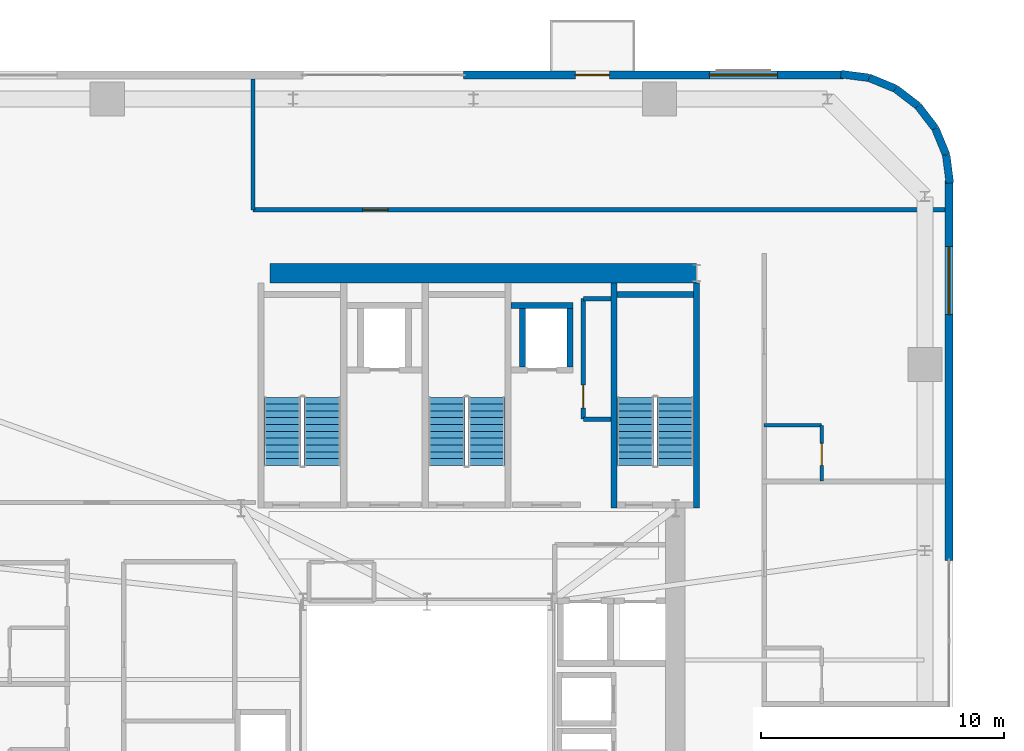
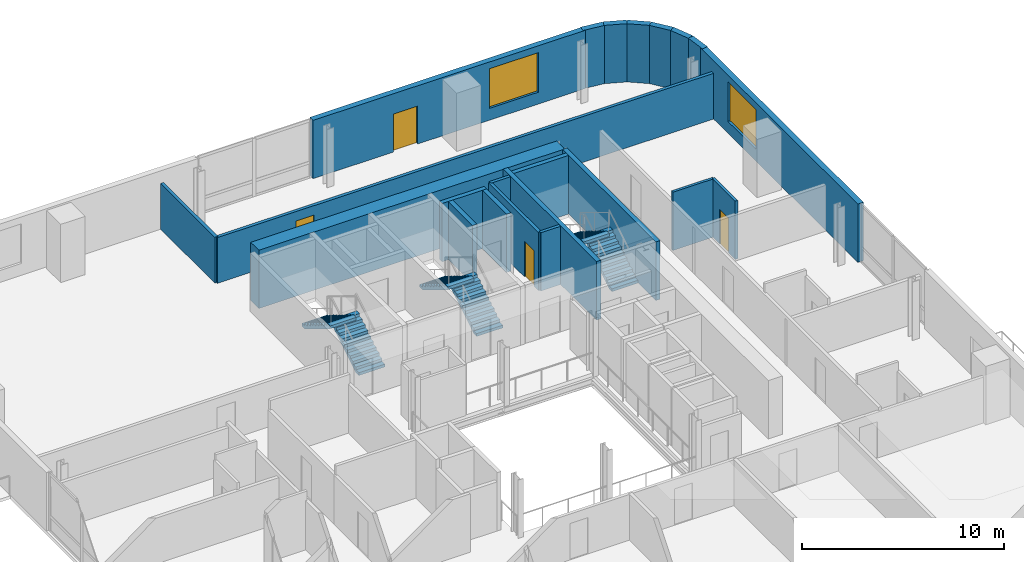
# One storey, part 11 of 16: 22 walls, 6 stair flights, 4 doors, 2 windows, 6 openings, 3 elements without a shape of their own.
"""IFC4 building model written with IfcOpenShell, lengths in metres."""

from ifc_helpers import new_model, si_unit, direction, frame, frame_2d, origin, place, context, subcontext, project, spatial, polyline, rectangle, outline, extrude, source, transform, mapped, material, layer, layer_set, type_object, element, fill, aggregate, save


model = new_model("IFC4")

# Units and contexts
model_context = context("Model", 3, precision=1e-05, world=origin(), true_north=direction((0.0, 1.0)))
body_context = subcontext(model_context, "Body", "Model", "MODEL_VIEW")
ifc_project = project(units=[si_unit("LENGTHUNIT", "METRE"), si_unit("AREAUNIT", "SQUARE_METRE"), si_unit("VOLUMEUNIT", "CUBIC_METRE"), si_unit("PLANEANGLEUNIT", "RADIAN"), si_unit("MASSUNIT", "GRAM", prefix="KILO")], contexts=[model_context])

# Site, building, storey
site_placement = place(None, origin())
site = spatial("IfcSite", under=ifc_project, at=site_placement, CompositionType="ELEMENT")
building_placement = place(site_placement, origin())
building = spatial("IfcBuilding", under=site, at=building_placement, Name="Vardaveli Station Tower", CompositionType="ELEMENT")
storey_placement = place(building_placement, frame((0.0, 0.0, 203.550048828125)))
storey = spatial("IfcBuildingStorey", under=building, at=storey_placement, Name="L52", CompositionType="ELEMENT", Elevation=203.550048828125)

# Wall
ifc_material_1 = material(Name="Concrete C50/60", Category="concrete")
ifc_layer_1 = layer(ifc_material_1, 0.800048828125, Name="Concrete C50/60")
ifc_layer_set_1 = layer_set([ifc_layer_1], Name="Concrete C50/60")
wall_type_1 = type_object("IfcWallType", Name="WAL-CORE-800", PredefinedType="SHEAR", material=ifc_layer_set_1)
shared_shape_1 = source(origin(), body_context, "Body", "SweptSolid", [
    extrude(rectangle(XDim=17.52001953125, YDim=0.800048828125, at=frame_2d((8.760009765625, 0.0))), origin(), (0.0, 0.0, 1.0), 3.530029296875),
])
wall_1_placement = place(storey_placement, frame((29.85009765625, 40.300048828125, 0.0), z_axis=(0.0, 0.0, 1.0), x_axis=(1.0, 0.0, 0.0)))
element("IfcWall", 1, at=wall_1_placement, inside=storey, type_object=wall_type_1, Name="SW-L52-NORTH", PredefinedType="SHEAR", context=body_context, shape_type="MappedRepresentation", body=[
    mapped(shared_shape_1, transform((0.0, 0.0, 0.0), scale=1.0)),
])

# Wall, openings, door, window
ifc_material_2 = material(Name="Precast concrete C45/55", Category="concrete")
ifc_layer_2 = layer(ifc_material_2, 0.320068359375, Name="Precast concrete C45/55")
ifc_layer_set_2 = layer_set([ifc_layer_2], Name="Precast concrete C45/55")
wall_type_2 = type_object("IfcWallType", Name="WAL-EXT-STONE-320", PredefinedType="SOLIDWALL", material=ifc_layer_set_2)
shared_shape_2 = source(origin(), body_context, "Body", "SweptSolid", [
    extrude(rectangle(XDim=15.599853515625, YDim=0.320068359375, at=frame_2d((7.7998046875, 0.0))), origin(), (0.0, 0.0, 1.0), 3.530029296875),
])
wall_2_placement = place(storey_placement, frame((53.39990234375, 48.43994140625, 0.0), z_axis=(0.0, 0.0, 1.0), x_axis=(-1.0, 0.0, 0.0)))
wall_2 = element("IfcWall", 2, at=wall_2_placement, inside=storey, type_object=wall_type_2, Name="EW-L52-N1", PredefinedType="SOLIDWALL", context=body_context, shape_type="MappedRepresentation", body=[
    mapped(shared_shape_2, transform((0.0, 0.0, 0.0), scale=1.0)),
])
shared_shape_3 = source(origin(), body_context, "Body", "SweptSolid", [
    extrude(rectangle(XDim=1.39990234375, YDim=2.300048828125, at=frame_2d((0.699951171875, 1.14990234375))), frame((0.0, 0.169921875, 0.0), z_axis=(0.0, -1.0, 0.0), x_axis=(1.0, 0.0, 0.0)), (0.0, 0.0, 1.0), 0.340087890625),
])
opening_1_placement = place(wall_2_placement, frame((9.6103515625, 0.0, 0.0)))
opening_1 = element("IfcOpeningElement", 3, at=opening_1_placement, cuts=wall_2, Name="Opening D-09", PredefinedType="OPENING", context=body_context, shape_type="MappedRepresentation", body=[
    mapped(shared_shape_3, transform((0.0, 0.0, 0.0), scale=1.0)),
])
shared_shape_4 = source(origin(), body_context, "Body", "SweptSolid", [
    extrude(rectangle(XDim=2.800048828125, YDim=2.39990234375, at=frame_2d((1.39990234375, 1.199951171875))), frame((0.0, 0.169921875, 0.0), z_axis=(0.0, -1.0, 0.0), x_axis=(1.0, 0.0, 0.0)), (0.0, 0.0, 1.0), 0.340087890625),
])
opening_2_placement = place(wall_2_placement, frame((2.705078125, 0.0, 0.719970703125)))
opening_2 = element("IfcOpeningElement", 4, at=opening_2_placement, cuts=wall_2, Name="Opening W-04", PredefinedType="OPENING", context=body_context, shape_type="MappedRepresentation", body=[
    mapped(shared_shape_4, transform((0.0, 0.0, 0.0), scale=1.0)),
])
ifc_material_3 = material(Name="Thermally broken aluminium glass", Category="aluminium")
door_type_1 = type_object("IfcDoorType", Name="DR-LOG-1400x2300", OperationType="DOUBLE_DOOR_SLIDING", PredefinedType="DOOR", material=ifc_material_3)
shared_shape_5 = source(origin(), body_context, "Body", "SweptSolid", [
    extrude(rectangle(XDim=1.39990234375, YDim=2.300048828125, at=frame_2d((0.699951171875, 1.14990234375))), frame((0.0, 0.02490234375, 0.0), z_axis=(0.0, -1.0, 0.0), x_axis=(1.0, 0.0, 0.0)), (0.0, 0.0, 1.0), 0.050048828125),
])
door_1_placement = place(opening_1_placement, frame((1.39990234375, 0.0, 0.0), z_axis=(0.0, 0.0, 1.0), x_axis=(-1.0, 0.0, 0.0)))
door_1 = element("IfcDoor", 5, at=door_1_placement, inside=storey, type_object=door_type_1, Name="DLG-L52-N", OperationType="DOUBLE_DOOR_SLIDING", OverallHeight=2.300048828125, OverallWidth=1.39990234375, PredefinedType="DOOR", context=body_context, shape_type="MappedRepresentation", body=[
    mapped(shared_shape_5, transform((0.0, 0.0, 0.0), scale=1.0)),
])
fill(opening_1, door_1)
ifc_material_4 = material(Name="Low-E solar-control glass", Category="glass")
window_type = type_object("IfcWindowType", Name="WIN-SUITE-2800x2400", PartitioningType="SINGLE_PANEL", PredefinedType="WINDOW", material=ifc_material_4)
shared_shape_6 = source(origin(), body_context, "Body", "SweptSolid", [
    extrude(rectangle(XDim=2.800048828125, YDim=2.39990234375, at=frame_2d((1.39990234375, 1.199951171875))), frame((0.0, 0.030029296875, 0.0), z_axis=(0.0, -1.0, 0.0), x_axis=(1.0, 0.0, 0.0)), (0.0, 0.0, 1.0), 0.06005859375),
])
window_1_placement = place(opening_2_placement, origin())
window_1 = element("IfcWindow", 6, at=window_1_placement, inside=storey, type_object=window_type, Name="WN-L52-N1", OverallHeight=2.39990234375, OverallWidth=2.800048828125, PartitioningType="SINGLE_PANEL", PredefinedType="WINDOW", context=body_context, shape_type="MappedRepresentation", body=[
    mapped(shared_shape_6, transform((0.0, 0.0, 0.0), scale=1.0)),
])
fill(opening_2, window_1)

# Wall, opening, window
shared_shape_7 = source(origin(), body_context, "Body", "SweptSolid", [
    extrude(rectangle(XDim=15.60009765625, YDim=0.320068359375, at=frame_2d((7.800048828125, 0.0))), origin(), (0.0, 0.0, 1.0), 3.530029296875),
])
wall_3_placement = place(storey_placement, frame((57.739990234375, 28.5, 0.0), z_axis=(0.0, 0.0, 1.0), x_axis=(0.0, 1.0, 0.0)))
wall_3 = element("IfcWall", 7, at=wall_3_placement, inside=storey, type_object=wall_type_2, Name="EW-L52-E2", PredefinedType="SOLIDWALL", context=body_context, shape_type="MappedRepresentation", body=[
    mapped(shared_shape_7, transform((0.0, 0.0, 0.0), scale=1.0)),
])
opening_3_placement = place(wall_3_placement, frame((10.094970703125, 0.0, 0.719970703125)))
opening_3 = element("IfcOpeningElement", 8, at=opening_3_placement, cuts=wall_3, Name="Opening W-04", PredefinedType="OPENING", context=body_context, shape_type="MappedRepresentation", body=[
    mapped(shared_shape_4, transform((0.0, 0.0, 0.0), scale=1.0)),
])
window_2_placement = place(opening_3_placement, origin())
window_2 = element("IfcWindow", 9, at=window_2_placement, inside=storey, type_object=window_type, Name="WN-L52-E2", OverallHeight=2.39990234375, OverallWidth=2.800048828125, PartitioningType="SINGLE_PANEL", PredefinedType="WINDOW", context=body_context, shape_type="MappedRepresentation", body=[
    mapped(shared_shape_6, transform((0.0, 0.0, 0.0), scale=1.0)),
])
fill(opening_3, window_2)

# Walls
shared_shape_8 = source(origin(), body_context, "Body", "SweptSolid", [
    extrude(rectangle(XDim=1.1689453125, YDim=0.320068359375, at=frame_2d((0.58447265625, 0.0))), origin(), (0.0, 0.0, 1.0), 3.530029296875),
])
wall_4_placement = place(storey_placement, frame((57.179931640625, 46.2412109375, 0.0), z_axis=(0.0, 0.0, 1.0), x_axis=(-0.608387696831, 0.793639975269, 0.0)))
element("IfcWall", 10, at=wall_4_placement, inside=storey, type_object=wall_type_2, Name="EW-L52-CR3-3", PredefinedType="SOLIDWALL", context=body_context, shape_type="MappedRepresentation", body=[
    mapped(shared_shape_8, transform((0.0, 0.0, 0.0), scale=1.0)),
])
shared_shape_9 = source(origin(), body_context, "Body", "SweptSolid", [
    extrude(rectangle(XDim=1.168701171875, YDim=0.320068359375, at=frame_2d((0.58447265625, 0.0))), origin(), (0.0, 0.0, 1.0), 3.530029296875),
])
wall_5_placement = place(storey_placement, frame((56.46875, 47.1689453125, 0.0), z_axis=(0.0, 0.0, 1.0), x_axis=(-0.793663520347, 0.608356981114, 0.0)))
element("IfcWall", 11, at=wall_5_placement, inside=storey, type_object=wall_type_2, Name="EW-L52-CR3-4", PredefinedType="SOLIDWALL", context=body_context, shape_type="MappedRepresentation", body=[
    mapped(shared_shape_9, transform((0.0, 0.0, 0.0), scale=1.0)),
])
shared_shape_10 = source(origin(), body_context, "Body", "SweptSolid", [
    extrude(rectangle(XDim=1.17041015625, YDim=0.320068359375, at=frame_2d((0.585205078125, 0.0))), origin(), (0.0, 0.0, 1.0), 3.530029296875),
])
for number, where, z_axis, x_axis, name in (
    (12, (57.775634765625, 43.99951171875, 0.0), (0.0, 0.0, 1.0), (-0.128295670475, 0.991735963317, 0.0), "EW-L52-CR3-1"),
    (13, (54.460205078125, 48.325439453125, 0.0), (0.0, 0.0, 1.0), (-0.991735963317, 0.128295670475, 0.0), "EW-L52-CR3-6"),
):
    element("IfcWall", number, at=place(storey_placement, frame(where, z_axis=z_axis, x_axis=x_axis)), inside=storey, type_object=wall_type_2, Name=name, PredefinedType="SOLIDWALL", context=body_context, shape_type="MappedRepresentation", body=[
        mapped(shared_shape_10, transform((0.0, 0.0, 0.0), scale=1.0)),
    ])
shared_shape_11 = source(origin(), body_context, "Body", "SweptSolid", [
    extrude(rectangle(XDim=1.169189453125, YDim=0.320068359375, at=frame_2d((0.58447265625, 0.0))), origin(), (0.0, 0.0, 1.0), 3.530029296875),
])
for number, where, z_axis, x_axis, name in (
    (14, (57.62548828125, 45.16015625, 0.0), (0.0, 0.0, 1.0), (-0.381054331552, 0.924552646638, 0.0), "EW-L52-CR3-2"),
    (15, (55.541259765625, 47.8798828125, 0.0), (0.0, 0.0, 1.0), (-0.924552646638, 0.381054331552, 0.0), "EW-L52-CR3-5"),
):
    element("IfcWall", number, at=place(storey_placement, frame(where, z_axis=z_axis, x_axis=x_axis)), inside=storey, type_object=wall_type_2, Name=name, PredefinedType="SOLIDWALL", context=body_context, shape_type="MappedRepresentation", body=[
        mapped(shared_shape_11, transform((0.0, 0.0, 0.0), scale=1.0)),
    ])
ifc_material_5 = material(Name="Concrete C40/50", Category="concrete")
ifc_layer_3 = layer(ifc_material_5, 0.25, Name="Concrete C40/50")
ifc_layer_set_3 = layer_set([ifc_layer_3], Name="Concrete C40/50")
wall_type_3 = type_object("IfcWallType", Name="WAL-SHAFT-250", PredefinedType="SOLIDWALL", material=ifc_layer_set_3)
shared_shape_12 = source(origin(), body_context, "Body", "SweptSolid", [
    extrude(rectangle(XDim=9.25, YDim=0.25, at=frame_2d((4.625, 0.0))), origin(), (0.0, 0.0, 1.0), 3.550048828125),
])
for number, where, z_axis, x_axis, name in (
    (16, (43.97509765625, 30.64990234375, 0.0), (0.0, 0.0, 1.0), (0.0, 1.0, 0.0), "W-L52-ST-3W"),
    (17, (47.375, 30.64990234375, 0.0), (0.0, 0.0, 1.0), (0.0, 1.0, 0.0), "W-L52-ST-3E"),
):
    element("IfcWall", number, at=place(storey_placement, frame(where, z_axis=z_axis, x_axis=x_axis)), inside=storey, type_object=wall_type_3, Name=name, PredefinedType="SOLIDWALL", context=body_context, shape_type="MappedRepresentation", body=[
        mapped(shared_shape_12, transform((0.0, 0.0, 0.0), scale=1.0)),
    ])
shared_shape_13 = source(origin(), body_context, "Body", "SweptSolid", [
    extrude(rectangle(XDim=3.14990234375, YDim=0.25, at=frame_2d((1.574951171875, 0.0))), origin(), (0.0, 0.0, 1.0), 3.550048828125),
])
wall_6_placement = place(storey_placement, frame((44.10009765625, 39.425048828125, 0.0), z_axis=(0.0, 0.0, 1.0), x_axis=(1.0, 0.0, 0.0)))
element("IfcWall", 18, at=wall_6_placement, inside=storey, type_object=wall_type_3, Name="W-L52-ST-3N", PredefinedType="SOLIDWALL", context=body_context, shape_type="MappedRepresentation", body=[
    mapped(shared_shape_13, transform((0.0, 0.0, 0.0), scale=1.0)),
])
shared_shape_14 = source(origin(), body_context, "Body", "SweptSolid", [
    extrude(rectangle(XDim=2.400146484375, YDim=0.25, at=frame_2d((1.2001953125, 0.0))), origin(), (0.0, 0.0, 1.0), 3.530029296875),
])
for number, where, z_axis, x_axis, name in (
    (19, (40.22509765625, 36.449951171875, 0.0), (0.0, 0.0, 1.0), (0.0, 1.0, 0.0), "SHW-FFL-02-L52-W"),
    (20, (42.175048828125, 36.449951171875, 0.0), (0.0, 0.0, 1.0), (0.0, 1.0, 0.0), "SHW-FFL-02-L52-E"),
):
    element("IfcWall", number, at=place(storey_placement, frame(where, z_axis=z_axis, x_axis=x_axis)), inside=storey, type_object=wall_type_3, Name=name, PredefinedType="SOLIDWALL", context=body_context, shape_type="MappedRepresentation", body=[
        mapped(shared_shape_14, transform((0.0, 0.0, 0.0), scale=1.0)),
    ])
shared_shape_15 = source(origin(), body_context, "Body", "SweptSolid", [
    extrude(rectangle(XDim=2.550048828125, YDim=0.25, at=frame_2d((1.27490234375, 0.0))), origin(), (0.0, 0.0, 1.0), 3.530029296875),
])
wall_7_placement = place(storey_placement, frame((39.75, 38.97509765625, 0.0), z_axis=(0.0, 0.0, 1.0), x_axis=(1.0, 0.0, 0.0)))
element("IfcWall", 21, at=wall_7_placement, inside=storey, type_object=wall_type_3, Name="SHW-FFL-02-L52-N", PredefinedType="SOLIDWALL", context=body_context, shape_type="MappedRepresentation", body=[
    mapped(shared_shape_15, transform((0.0, 0.0, 0.0), scale=1.0)),
])

# Wall, opening, door
ifc_material_6 = material(Name="Fire-rated gypsum stud partition")
ifc_layer_4 = layer(ifc_material_6, 0.179931640625, Name="Fire-rated gypsum stud partition")
ifc_layer_set_4 = layer_set([ifc_layer_4], Name="Fire-rated gypsum stud partition")
wall_type_4 = type_object("IfcWallType", Name="WAL-CORR-180", PredefinedType="PARTITIONING", material=ifc_layer_set_4)
shared_shape_16 = source(origin(), body_context, "Body", "SweptSolid", [
    extrude(rectangle(XDim=28.427978515625, YDim=0.179931640625, at=frame_2d((14.2138671875, 0.0))), origin(), (0.0, 0.0, 1.0), 2.77197265625),
])
wall_8_placement = place(storey_placement, frame((29.14990234375, 42.89990234375, 0.0), z_axis=(0.0, 0.0, 1.0), x_axis=(1.0, 0.0, 0.0)))
wall_8 = element("IfcWall", 22, at=wall_8_placement, inside=storey, type_object=wall_type_4, Name="W-L52-NPS", PredefinedType="PARTITIONING", context=body_context, shape_type="MappedRepresentation", body=[
    mapped(shared_shape_16, transform((0.0, 0.0, 0.0), scale=1.0)),
])
shared_shape_17 = source(origin(), body_context, "Body", "SweptSolid", [
    extrude(rectangle(XDim=1.050048828125, YDim=2.199951171875, at=frame_2d((0.52490234375, 1.10009765625))), frame((0.0, 0.10009765625, 0.0), z_axis=(0.0, -1.0, 0.0), x_axis=(1.0, 0.0, 0.0)), (0.0, 0.0, 1.0), 0.199951171875),
])
opening_4_placement = place(wall_8_placement, frame((4.5, 0.0, 0.0)))
opening_4 = element("IfcOpeningElement", 23, at=opening_4_placement, cuts=wall_8, Name="Opening D-05", PredefinedType="OPENING", context=body_context, shape_type="MappedRepresentation", body=[
    mapped(shared_shape_17, transform((0.0, 0.0, 0.0), scale=1.0)),
])
ifc_material_7 = material(Name="Walnut veneer acoustic fire door")
door_type_2 = type_object("IfcDoorType", Name="DR-SUITE-1050x2200", OperationType="NOTDEFINED", PredefinedType="DOOR", material=ifc_material_7)
shared_shape_18 = source(origin(), body_context, "Body", "SweptSolid", [
    extrude(rectangle(XDim=1.050048828125, YDim=2.199951171875, at=frame_2d((0.52490234375, 1.10009765625))), frame((0.0, 0.02490234375, 0.0), z_axis=(0.0, -1.0, 0.0), x_axis=(1.0, 0.0, 0.0)), (0.0, 0.0, 1.0), 0.050048828125),
])
door_2_placement = place(opening_4_placement, origin())
door_2 = element("IfcDoor", 24, at=door_2_placement, inside=storey, type_object=door_type_2, Name="D-L52-NP1", OperationType="SINGLE_SWING_RIGHT", OverallHeight=2.199951171875, OverallWidth=1.050048828125, PredefinedType="DOOR", context=body_context, shape_type="MappedRepresentation", body=[
    mapped(shared_shape_18, transform((0.0, 0.0, 0.0), scale=1.0)),
])
fill(opening_4, door_2)

# Walls
shared_shape_19 = source(origin(), body_context, "Body", "SweptSolid", [
    extrude(rectangle(XDim=5.378173828125, YDim=0.179931640625, at=frame_2d((2.68896484375, 0.0))), origin(), (0.0, 0.0, 1.0), 2.77197265625),
])
wall_9_placement = place(storey_placement, frame((29.14990234375, 42.89990234375, 0.0), z_axis=(0.0, 0.0, 1.0), x_axis=(0.0, 1.0, 0.0)))
element("IfcWall", 25, at=wall_9_placement, inside=storey, type_object=wall_type_4, Name="W-L52-NPW", PredefinedType="PARTITIONING", context=body_context, shape_type="MappedRepresentation", body=[
    mapped(shared_shape_19, transform((0.0, 0.0, 0.0), scale=1.0)),
])
ifc_material_8 = material(Name="Moisture-resistant stud partition")
ifc_layer_5 = layer(ifc_material_8, 0.14990234375, Name="Moisture-resistant stud partition")
ifc_layer_set_5 = layer_set([ifc_layer_5], Name="Moisture-resistant stud partition")
wall_type_5 = type_object("IfcWallType", Name="WAL-WET-150", PredefinedType="PARTITIONING", material=ifc_layer_set_5)
shared_shape_20 = source(origin(), body_context, "Body", "SweptSolid", [
    extrude(rectangle(XDim=2.360107421875, YDim=0.14990234375, at=frame_2d((1.18017578125, 0.0))), origin(), (0.0, 0.0, 1.0), 3.530029296875),
])
wall_10_placement = place(storey_placement, frame((50.14990234375, 34.047119140625, 0.0), z_axis=(0.0, 0.0, 1.0), x_axis=(1.0, 0.0, 0.0)))
element("IfcWall", 26, at=wall_10_placement, inside=storey, type_object=wall_type_5, Name="W-L52-BE3-N", PredefinedType="PARTITIONING", context=body_context, shape_type="MappedRepresentation", body=[
    mapped(shared_shape_20, transform((0.0, 0.0, 0.0), scale=1.0)),
])

# Wall, opening, door
shared_shape_21 = source(origin(), body_context, "Body", "SweptSolid", [
    extrude(rectangle(XDim=4.949951171875, YDim=0.179931640625, at=frame_2d((2.47509765625, 0.0))), origin(), (0.0, 0.0, 1.0), 3.530029296875),
])
wall_11_placement = place(storey_placement, frame((42.719970703125, 34.300048828125, 0.0), z_axis=(0.0, 0.0, 1.0), x_axis=(0.0, 1.0, 0.0)))
wall_11 = element("IfcWall", 27, at=wall_11_placement, inside=storey, type_object=wall_type_4, Name="W-L52-CBS1-W", PredefinedType="PARTITIONING", context=body_context, shape_type="MappedRepresentation", body=[
    mapped(shared_shape_21, transform((0.0, 0.0, 0.0), scale=1.0)),
])
shared_shape_22 = source(origin(), body_context, "Body", "SweptSolid", [
    extrude(rectangle(XDim=0.949951171875, YDim=2.14990234375, at=frame_2d((0.47509765625, 1.074951171875))), frame((0.0, 0.10009765625, 0.0), z_axis=(0.0, -1.0, 0.0), x_axis=(1.0, 0.0, 0.0)), (0.0, 0.0, 1.0), 0.199951171875),
])
opening_5_placement = place(wall_11_placement, frame((0.449951171875, 0.0, 0.0)))
opening_5 = element("IfcOpeningElement", 28, at=opening_5_placement, cuts=wall_11, Name="Opening D-06", PredefinedType="OPENING", context=body_context, shape_type="MappedRepresentation", body=[
    mapped(shared_shape_22, transform((0.0, 0.0, 0.0), scale=1.0)),
])
ifc_material_9 = material(Name="Oak veneer acoustic fire door")
door_type_3 = type_object("IfcDoorType", Name="DR-GUEST-950x2150", OperationType="NOTDEFINED", PredefinedType="DOOR", material=ifc_material_9)
shared_shape_23 = source(origin(), body_context, "Body", "SweptSolid", [
    extrude(rectangle(XDim=0.949951171875, YDim=2.14990234375, at=frame_2d((0.47509765625, 1.074951171875))), frame((0.0, 0.02490234375, 0.0), z_axis=(0.0, -1.0, 0.0), x_axis=(1.0, 0.0, 0.0)), (0.0, 0.0, 1.0), 0.050048828125),
])
door_3_placement = place(opening_5_placement, origin())
door_3 = element("IfcDoor", 29, at=door_3_placement, inside=storey, type_object=door_type_3, Name="D-L52-HKP", OperationType="SINGLE_SWING_RIGHT", OverallHeight=2.14990234375, OverallWidth=0.949951171875, PredefinedType="DOOR", context=body_context, shape_type="MappedRepresentation", body=[
    mapped(shared_shape_23, transform((0.0, 0.0, 0.0), scale=1.0)),
])
fill(opening_5, door_3)

# Walls
shared_shape_24 = source(origin(), body_context, "Body", "SweptSolid", [
    extrude(rectangle(XDim=1.1279296875, YDim=0.179931640625, at=frame_2d((0.56396484375, 0.0))), origin(), (0.0, 0.0, 1.0), 3.530029296875),
])
for number, where, z_axis, x_axis, name in (
    (30, (42.719970703125, 34.300048828125, 0.0), (0.0, 0.0, 1.0), (1.0, 0.0, 0.0), "W-L52-CBS1-S"),
    (31, (42.719970703125, 39.25, 0.0), (0.0, 0.0, 1.0), (1.0, 0.0, 0.0), "W-L52-CBS1-N"),
):
    element("IfcWall", number, at=place(storey_placement, frame(where, z_axis=z_axis, x_axis=x_axis)), inside=storey, type_object=wall_type_4, Name=name, PredefinedType="PARTITIONING", context=body_context, shape_type="MappedRepresentation", body=[
        mapped(shared_shape_24, transform((0.0, 0.0, 0.0), scale=1.0)),
    ])

# Wall, opening, door
shared_shape_25 = source(origin(), body_context, "Body", "SweptSolid", [
    extrude(rectangle(XDim=2.2900390625, YDim=0.14990234375, at=frame_2d((1.14501953125, 0.0))), origin(), (0.0, 0.0, 1.0), 3.530029296875),
])
wall_12_placement = place(storey_placement, frame((52.510009765625, 31.757080078125, 0.0), z_axis=(0.0, 0.0, 1.0), x_axis=(0.0, 1.0, 0.0)))
wall_12 = element("IfcWall", 32, at=wall_12_placement, inside=storey, type_object=wall_type_5, Name="W-L52-BE3-E", PredefinedType="PARTITIONING", context=body_context, shape_type="MappedRepresentation", body=[
    mapped(shared_shape_25, transform((0.0, 0.0, 0.0), scale=1.0)),
])
shared_shape_26 = source(origin(), body_context, "Body", "SweptSolid", [
    extrude(rectangle(XDim=0.89990234375, YDim=2.10009765625, at=frame_2d((0.449951171875, 1.050048828125))), frame((0.0, 0.0849609375, 0.0), z_axis=(0.0, -1.0, 0.0), x_axis=(1.0, 0.0, 0.0)), (0.0, 0.0, 1.0), 0.169921875),
])
opening_6_placement = place(wall_12_placement, frame((0.64990234375, 0.0, 0.0)))
opening_6 = element("IfcOpeningElement", 33, at=opening_6_placement, cuts=wall_12, Name="Opening D-08", PredefinedType="OPENING", context=body_context, shape_type="MappedRepresentation", body=[
    mapped(shared_shape_26, transform((0.0, 0.0, 0.0), scale=1.0)),
])
ifc_material_10 = material(Name="Moisture-resistant oak door")
door_type_4 = type_object("IfcDoorType", Name="DR-BATH-900x2100", OperationType="NOTDEFINED", PredefinedType="DOOR", material=ifc_material_10)
shared_shape_27 = source(origin(), body_context, "Body", "SweptSolid", [
    extrude(rectangle(XDim=0.89990234375, YDim=2.10009765625, at=frame_2d((0.449951171875, 1.050048828125))), frame((0.0, 0.02490234375, 0.0), z_axis=(0.0, -1.0, 0.0), x_axis=(1.0, 0.0, 0.0)), (0.0, 0.0, 1.0), 0.050048828125),
])
door_4_placement = place(opening_6_placement, origin())
door_4 = element("IfcDoor", 34, at=door_4_placement, inside=storey, type_object=door_type_4, Name="D-L52-BE3", OperationType="SINGLE_SWING_RIGHT", OverallHeight=2.10009765625, OverallWidth=0.89990234375, PredefinedType="DOOR", context=body_context, shape_type="MappedRepresentation", body=[
    mapped(shared_shape_27, transform((0.0, 0.0, 0.0), scale=1.0)),
])
fill(opening_6, door_4)

# Stair, stair flights
stair_type = type_object("IfcStairType", Name="STR-CORE-1500", PredefinedType="HALF_TURN_STAIR", material=ifc_material_5)
stair_1_placement = place(storey_placement, origin())
stair_1 = element("IfcStair", 35, at=stair_1_placement, inside=storey, type_object=stair_type, Name="L52 ST-1", PredefinedType="HALF_TURN_STAIR")
stair_flight_type = type_object("IfcStairFlightType", Name="SFL-CORE-1500", PredefinedType="STRAIGHT", material=ifc_material_5)
shared_shape_28 = source(origin(), body_context, "Body", "SweptSolid", [
    extrude(outline(polyline([(0.0, 0.0), (0.0, 0.17041015625), (0.280029296875, 0.17041015625), (0.280029296875, 0.3408203125), (0.56005859375, 0.3408203125), (0.56005859375, 0.511474609375), (0.840087890625, 0.511474609375), (0.840087890625, 0.681884765625), (1.1201171875, 0.681884765625), (1.1201171875, 0.852294921875), (1.39990234375, 0.852294921875), (1.39990234375, 1.022705078125), (1.679931640625, 1.022705078125), (1.679931640625, 1.193115234375), (1.9599609375, 1.193115234375), (1.9599609375, 1.363525390625), (2.239990234375, 1.363525390625), (2.239990234375, 1.5341796875), (2.52001953125, 1.5341796875), (2.52001953125, 1.70458984375), (2.800048828125, 1.70458984375), (2.800048828125, 1.875), (2.800048828125, 1.529052734375), (0.288330078125, 0.0), (0.0, 0.0)])), frame((0.0, 0.75, 0.0), z_axis=(0.0, -1.0, 0.0), x_axis=(1.0, 0.0, 0.0)), (0.0, 0.0, 1.0), 1.5),
])
stair_flight_1_placement = place(storey_placement, frame((32.0, 32.39990234375, 0.0), z_axis=(0.0, 0.0, 1.0), x_axis=(0.0, 1.0, 0.0)))
stair_flight_1 = element("IfcStairFlight", 36, at=stair_flight_1_placement, type_object=stair_flight_type, Name="ST-1 flight 1", NumberOfRisers=11, NumberOfTreads=10, PredefinedType="STRAIGHT", RiserHeight=0.170454545, TreadLength=0.28, context=body_context, shape_type="MappedRepresentation", body=[
    mapped(shared_shape_28, transform((0.0, 0.0, 0.0), scale=1.0)),
])
stair_flight_2_placement = place(storey_placement, frame((30.35009765625, 35.199951171875, 1.875), z_axis=(0.0, 0.0, 1.0), x_axis=(0.0, -1.0, 0.0)))
stair_flight_2 = element("IfcStairFlight", 37, at=stair_flight_2_placement, type_object=stair_flight_type, Name="ST-1 flight 2", NumberOfRisers=11, NumberOfTreads=10, PredefinedType="STRAIGHT", RiserHeight=0.170454545, TreadLength=0.28, context=body_context, shape_type="MappedRepresentation", body=[
    mapped(shared_shape_28, transform((0.0, 0.0, 0.0), scale=1.0)),
])
aggregate(stair_1, [stair_flight_1, stair_flight_2])

stair_2_placement = place(storey_placement, origin())
stair_2 = element("IfcStair", 38, at=stair_2_placement, inside=storey, type_object=stair_type, Name="L52 ST-2", PredefinedType="HALF_TURN_STAIR")
stair_flight_3_placement = place(storey_placement, frame((38.75, 32.39990234375, 0.0), z_axis=(0.0, 0.0, 1.0), x_axis=(0.0, 1.0, 0.0)))
stair_flight_3 = element("IfcStairFlight", 39, at=stair_flight_3_placement, type_object=stair_flight_type, Name="ST-2 flight 1", NumberOfRisers=11, NumberOfTreads=10, PredefinedType="STRAIGHT", RiserHeight=0.170454545, TreadLength=0.28, context=body_context, shape_type="MappedRepresentation", body=[
    mapped(shared_shape_28, transform((0.0, 0.0, 0.0), scale=1.0)),
])
stair_flight_4_placement = place(storey_placement, frame((37.10009765625, 35.199951171875, 1.875), z_axis=(0.0, 0.0, 1.0), x_axis=(0.0, -1.0, 0.0)))
stair_flight_4 = element("IfcStairFlight", 40, at=stair_flight_4_placement, type_object=stair_flight_type, Name="ST-2 flight 2", NumberOfRisers=11, NumberOfTreads=10, PredefinedType="STRAIGHT", RiserHeight=0.170454545, TreadLength=0.28, context=body_context, shape_type="MappedRepresentation", body=[
    mapped(shared_shape_28, transform((0.0, 0.0, 0.0), scale=1.0)),
])
aggregate(stair_2, [stair_flight_3, stair_flight_4])

stair_3_placement = place(storey_placement, origin())
stair_3 = element("IfcStair", 41, at=stair_3_placement, inside=storey, type_object=stair_type, Name="L52 ST-3", PredefinedType="HALF_TURN_STAIR")
stair_flight_5_placement = place(storey_placement, frame((46.5, 32.39990234375, 0.0), z_axis=(0.0, 0.0, 1.0), x_axis=(0.0, 1.0, 0.0)))
stair_flight_5 = element("IfcStairFlight", 42, at=stair_flight_5_placement, type_object=stair_flight_type, Name="ST-3 flight 1", NumberOfRisers=11, NumberOfTreads=10, PredefinedType="STRAIGHT", RiserHeight=0.170454545, TreadLength=0.28, context=body_context, shape_type="MappedRepresentation", body=[
    mapped(shared_shape_28, transform((0.0, 0.0, 0.0), scale=1.0)),
])
stair_flight_6_placement = place(storey_placement, frame((44.85009765625, 35.199951171875, 1.875), z_axis=(0.0, 0.0, 1.0), x_axis=(0.0, -1.0, 0.0)))
stair_flight_6 = element("IfcStairFlight", 43, at=stair_flight_6_placement, type_object=stair_flight_type, Name="ST-3 flight 2", NumberOfRisers=11, NumberOfTreads=10, PredefinedType="STRAIGHT", RiserHeight=0.170454545, TreadLength=0.28, context=body_context, shape_type="MappedRepresentation", body=[
    mapped(shared_shape_28, transform((0.0, 0.0, 0.0), scale=1.0)),
])
aggregate(stair_3, [stair_flight_5, stair_flight_6])

save(model, "model.ifc")
